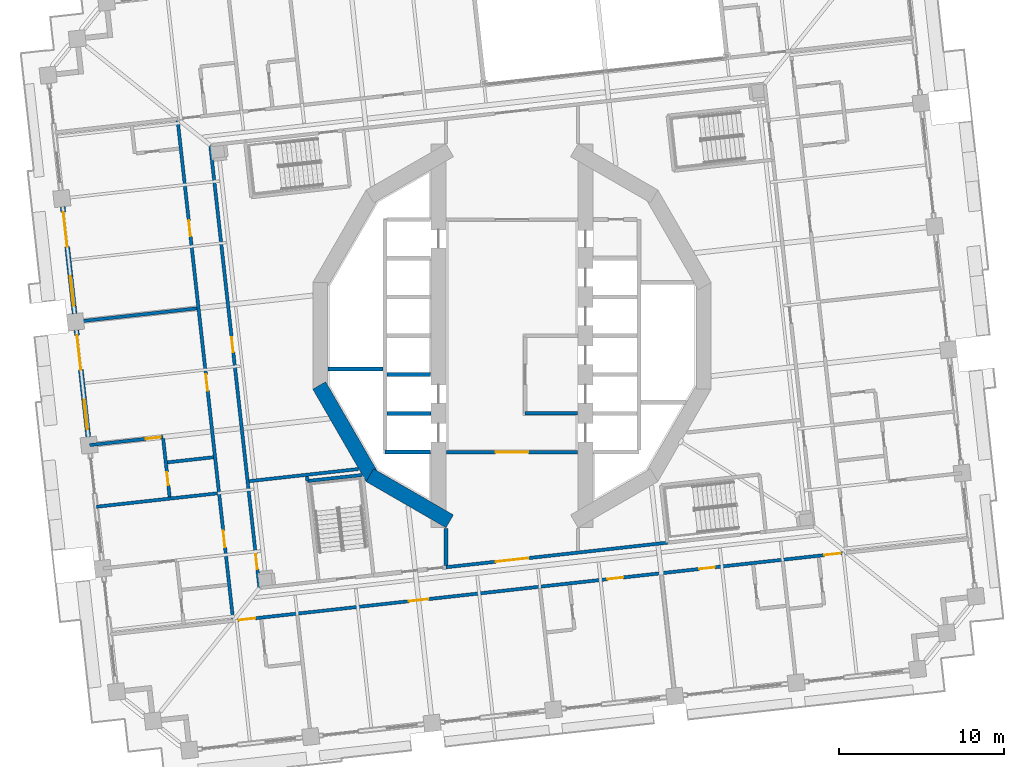
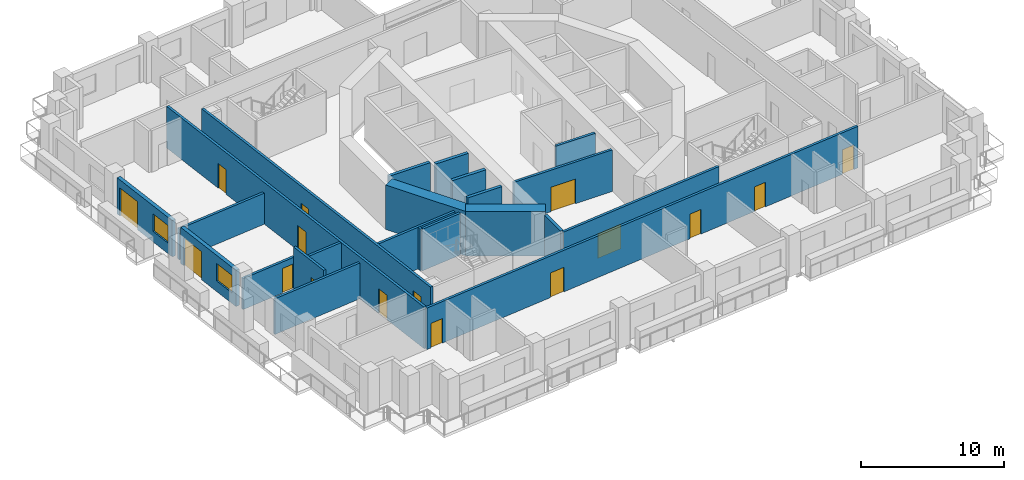
# One storey, part 8 of 20: 23 walls, 16 doors, 2 windows, 18 openings.
"""IFC4 building model written with IfcOpenShell, lengths in metres."""

from ifc_helpers import new_model, si_unit, direction, frame, frame_2d, origin, place, context, subcontext, project, spatial, rectangle, extrude, material, layer, layer_set, type_object, element, fill, save


model = new_model("IFC4")

# Units and contexts
model_context = context("Model", 3, precision=1e-05, world=origin(), true_north=direction((0.0, 1.0)))
body_context = subcontext(model_context, "Body", "Model", "MODEL_VIEW")
ifc_project = project(units=[si_unit("LENGTHUNIT", "METRE"), si_unit("AREAUNIT", "SQUARE_METRE"), si_unit("VOLUMEUNIT", "CUBIC_METRE"), si_unit("PLANEANGLEUNIT", "RADIAN"), si_unit("MASSUNIT", "GRAM", prefix="KILO")], contexts=[model_context])

# Site, building, storey
site_placement = place(None, origin())
site = spatial("IfcSite", under=ifc_project, at=site_placement, CompositionType="ELEMENT")
building_placement = place(site_placement, origin())
building = spatial("IfcBuilding", under=site, at=building_placement, Name="Cantera Rosa Tower", CompositionType="ELEMENT")
storey_placement = place(building_placement, frame((0.0, 0.0, 46.300048828125)))
storey = spatial("IfcBuildingStorey", under=building, at=storey_placement, Name="L08", CompositionType="ELEMENT", Elevation=46.300048828125)

# Wall, openings, doors
ifc_material_1 = material(Name="Gypsum board partition")
ifc_layer_1 = layer(ifc_material_1, 0.199951171875)
ifc_layer_set_1 = layer_set([ifc_layer_1], Name="CORRIDOR WALL 200 H3550")
wall_type_1 = type_object("IfcWallType", Name="CORRIDOR WALL 200 H3550", PredefinedType="PARTITIONING", material=ifc_layer_set_1)
wall_1_placement = place(storey_placement, frame((-20.2626953125, 13.04443359375, 0.0), z_axis=(0.0, 0.0, 1.0), x_axis=(0.110312530755, -0.993896949164, 0.0)))
wall_1 = element("IfcWall", 1, at=wall_1_placement, inside=storey, type_object=wall_type_1, Name="CORRIDOR WALL L08-009", PredefinedType="PARTITIONING", context=body_context, shape_type="SweptSolid", body=[
    extrude(rectangle(XDim=30.400146484375, YDim=0.199951171875, at=frame_2d((15.2001953125, 0.0))), origin(), (0.0, 0.0, 1.0), 3.550048828125),
])
opening_1_placement = place(wall_1_placement, frame((25.010009765625, 0.0, 0.0)))
opening_1 = element("IfcOpeningElement", 2, at=opening_1_placement, cuts=wall_1, Name="Opening L08-032", PredefinedType="OPENING", context=body_context, shape_type="SweptSolid", body=[
    extrude(rectangle(XDim=1.0, YDim=2.10009765625, at=frame_2d((0.5, 1.050048828125))), frame((0.0, 0.10986328125, 0.0), z_axis=(0.0, -1.0, 0.0), x_axis=(1.0, 0.0, 0.0)), (0.0, 0.0, 1.0), 0.219970703125),
])
opening_2_placement = place(wall_1_placement, frame((6.094970703125, 0.0, 0.0)))
opening_2 = element("IfcOpeningElement", 3, at=opening_2_placement, cuts=wall_1, Name="Opening L08-035", PredefinedType="OPENING", context=body_context, shape_type="SweptSolid", body=[
    extrude(rectangle(XDim=0.949951171875, YDim=2.10009765625, at=frame_2d((0.47509765625, 1.050048828125))), frame((0.0, 0.10986328125, 0.0), z_axis=(0.0, -1.0, 0.0), x_axis=(1.0, 0.0, 0.0)), (0.0, 0.0, 1.0), 0.219970703125),
])
opening_3_placement = place(wall_1_placement, frame((15.47998046875, 0.0, 0.0)))
opening_3 = element("IfcOpeningElement", 4, at=opening_3_placement, cuts=wall_1, Name="Opening L08-037", PredefinedType="OPENING", context=body_context, shape_type="SweptSolid", body=[
    extrude(rectangle(XDim=1.0, YDim=2.10009765625, at=frame_2d((0.5, 1.050048828125))), frame((0.0, 0.10986328125, 0.0), z_axis=(0.0, -1.0, 0.0), x_axis=(1.0, 0.0, 0.0)), (0.0, 0.0, 1.0), 0.219970703125),
])
ifc_material_2 = material(Name="Timber door leaf", Category="wood")
door_type_1 = type_object("IfcDoorType", Name="ENTRANCE DOOR 1000x2100", OperationType="NOTDEFINED", PredefinedType="DOOR", material=ifc_material_2)
door_1_placement = place(opening_1_placement, origin())
door_1 = element("IfcDoor", 5, at=door_1_placement, inside=storey, type_object=door_type_1, Name="DOOR L08-032", OperationType="NOTDEFINED", OverallHeight=2.10009765625, OverallWidth=1.0, PredefinedType="DOOR", context=body_context, shape_type="SweptSolid", body=[
    extrude(rectangle(XDim=1.0, YDim=2.10009765625, at=frame_2d((0.5, 1.050048828125))), frame((0.0, 0.02490234375, 0.0), z_axis=(0.0, -1.0, 0.0), x_axis=(1.0, 0.0, 0.0)), (0.0, 0.0, 1.0), 0.050048828125),
])
fill(opening_1, door_1)
door_2_placement = place(opening_3_placement, origin())
door_2 = element("IfcDoor", 6, at=door_2_placement, inside=storey, type_object=door_type_1, Name="DOOR L08-037", OperationType="NOTDEFINED", OverallHeight=2.10009765625, OverallWidth=1.0, PredefinedType="DOOR", context=body_context, shape_type="SweptSolid", body=[
    extrude(rectangle(XDim=1.0, YDim=2.10009765625, at=frame_2d((0.5, 1.050048828125))), frame((0.0, 0.02490234375, 0.0), z_axis=(0.0, -1.0, 0.0), x_axis=(1.0, 0.0, 0.0)), (0.0, 0.0, 1.0), 0.050048828125),
])
fill(opening_3, door_2)
ifc_material_3 = material(Name="Timber door leaf", Category="wood")
door_type_2 = type_object("IfcDoorType", Name="ROOM DOOR 950x2100", OperationType="NOTDEFINED", PredefinedType="DOOR", material=ifc_material_3)
door_3_placement = place(opening_2_placement, origin())
door_3 = element("IfcDoor", 7, at=door_3_placement, inside=storey, type_object=door_type_2, Name="DOOR L08-035", OperationType="NOTDEFINED", OverallHeight=2.10009765625, OverallWidth=0.949951171875, PredefinedType="DOOR", context=body_context, shape_type="SweptSolid", body=[
    extrude(rectangle(XDim=0.949951171875, YDim=2.10009765625, at=frame_2d((0.47509765625, 1.050048828125))), frame((0.0, 0.02490234375, 0.0), z_axis=(0.0, -1.0, 0.0), x_axis=(1.0, 0.0, 0.0)), (0.0, 0.0, 1.0), 0.050048828125),
])
fill(opening_2, door_3)

wall_2_placement = place(storey_placement, frame((-18.2861328125, 11.55322265625, 0.0), z_axis=(0.0, 0.0, 1.0), x_axis=(0.110315409641, -0.993896629633, 0.0)))
wall_2 = element("IfcWall", 8, at=wall_2_placement, inside=storey, type_object=wall_type_1, Name="CORRIDOR WALL L08-015", PredefinedType="PARTITIONING", context=body_context, shape_type="SweptSolid", body=[
    extrude(rectangle(XDim=27.0, YDim=0.199951171875, at=frame_2d((13.5, 0.0))), origin(), (0.0, 0.0, 1.0), 3.550048828125),
])
opening_4_placement = place(wall_2_placement, frame((11.719970703125, 0.0, 0.0)))
opening_4 = element("IfcOpeningElement", 9, at=opening_4_placement, cuts=wall_2, Name="Opening L08-006", PredefinedType="OPENING", context=body_context, shape_type="SweptSolid", body=[
    extrude(rectangle(XDim=0.89990234375, YDim=2.10009765625, at=frame_2d((0.449951171875, 1.050048828125))), frame((0.0, 0.10986328125, 0.0), z_axis=(0.0, -1.0, 0.0), x_axis=(1.0, 0.0, 0.0)), (0.0, 0.0, 1.0), 0.219970703125),
])
opening_5_placement = place(wall_2_placement, frame((24.949951171875, 0.0, 0.0)))
opening_5 = element("IfcOpeningElement", 10, at=opening_5_placement, cuts=wall_2, Name="Opening L08-007", PredefinedType="OPENING", context=body_context, shape_type="SweptSolid", body=[
    extrude(rectangle(XDim=0.89990234375, YDim=2.10009765625, at=frame_2d((0.449951171875, 1.050048828125))), frame((0.0, 0.10986328125, 0.0), z_axis=(0.0, -1.0, 0.0), x_axis=(1.0, 0.0, 0.0)), (0.0, 0.0, 1.0), 0.219970703125),
])
ifc_material_4 = material(Name="Timber door leaf", Category="wood")
door_type_3 = type_object("IfcDoorType", Name="SERVICE DOOR 900x2100", OperationType="NOTDEFINED", PredefinedType="DOOR", material=ifc_material_4)
door_4_placement = place(opening_4_placement, origin())
door_4 = element("IfcDoor", 11, at=door_4_placement, inside=storey, type_object=door_type_3, Name="DOOR L08-006", OperationType="NOTDEFINED", OverallHeight=2.10009765625, OverallWidth=0.89990234375, PredefinedType="DOOR", context=body_context, shape_type="SweptSolid", body=[
    extrude(rectangle(XDim=0.89990234375, YDim=2.10009765625, at=frame_2d((0.449951171875, 1.050048828125))), frame((0.0, 0.02490234375, 0.0), z_axis=(0.0, -1.0, 0.0), x_axis=(1.0, 0.0, 0.0)), (0.0, 0.0, 1.0), 0.050048828125),
])
fill(opening_4, door_4)
door_5_placement = place(opening_5_placement, origin())
door_5 = element("IfcDoor", 12, at=door_5_placement, inside=storey, type_object=door_type_3, Name="DOOR L08-007", OperationType="NOTDEFINED", OverallHeight=2.10009765625, OverallWidth=0.89990234375, PredefinedType="DOOR", context=body_context, shape_type="SweptSolid", body=[
    extrude(rectangle(XDim=0.89990234375, YDim=2.10009765625, at=frame_2d((0.449951171875, 1.050048828125))), frame((0.0, 0.02490234375, 0.0), z_axis=(0.0, -1.0, 0.0), x_axis=(1.0, 0.0, 0.0)), (0.0, 0.0, 1.0), 0.050048828125),
])
fill(opening_5, door_5)

wall_3_placement = place(storey_placement, frame((-16.898193359375, -17.26953125, 0.0), z_axis=(0.0, 0.0, 1.0), x_axis=(0.993896862852, 0.11031330841, 0.0)))
wall_3 = element("IfcWall", 13, at=wall_3_placement, inside=storey, type_object=wall_type_1, Name="CORRIDOR WALL L08-019", PredefinedType="PARTITIONING", context=body_context, shape_type="SweptSolid", body=[
    extrude(rectangle(XDim=37.400146484375, YDim=0.199951171875, at=frame_2d((18.7001953125, 0.0))), origin(), (0.0, 0.0, 1.0), 3.550048828125),
])
opening_6_placement = place(wall_3_placement, frame((10.699951171875, 0.0, 0.0)))
opening_6 = element("IfcOpeningElement", 14, at=opening_6_placement, cuts=wall_3, Name="Opening L08-040", PredefinedType="OPENING", context=body_context, shape_type="SweptSolid", body=[
    extrude(rectangle(XDim=1.199951171875, YDim=2.10009765625, at=frame_2d((0.60009765625, 1.050048828125))), frame((0.0, 0.10986328125, 0.0), z_axis=(0.0, -1.0, 0.0), x_axis=(1.0, 0.0, 0.0)), (0.0, 0.0, 1.0), 0.219970703125),
])
opening_7_placement = place(wall_3_placement, frame((28.425048828125, 0.0, 0.0)))
opening_7 = element("IfcOpeningElement", 15, at=opening_7_placement, cuts=wall_3, Name="Opening L08-041", PredefinedType="OPENING", context=body_context, shape_type="SweptSolid", body=[
    extrude(rectangle(XDim=0.949951171875, YDim=2.10009765625, at=frame_2d((0.47509765625, 1.050048828125))), frame((0.0, 0.10986328125, 0.0), z_axis=(0.0, -1.0, 0.0), x_axis=(1.0, 0.0, 0.0)), (0.0, 0.0, 1.0), 0.219970703125),
])
opening_8_placement = place(wall_3_placement, frame((22.824951171875, 0.0, 0.0)))
opening_8 = element("IfcOpeningElement", 16, at=opening_8_placement, cuts=wall_3, Name="Opening L08-043", PredefinedType="OPENING", context=body_context, shape_type="SweptSolid", body=[
    extrude(rectangle(XDim=0.949951171875, YDim=2.10009765625, at=frame_2d((0.47509765625, 1.050048828125))), frame((0.0, 0.10986328125, 0.0), z_axis=(0.0, -1.0, 0.0), x_axis=(1.0, 0.0, 0.0)), (0.0, 0.0, 1.0), 0.219970703125),
])
opening_9_placement = place(wall_3_placement, frame((0.35009765625, 0.0, 0.0)))
opening_9 = element("IfcOpeningElement", 17, at=opening_9_placement, cuts=wall_3, Name="Opening L08-045", PredefinedType="OPENING", context=body_context, shape_type="SweptSolid", body=[
    extrude(rectangle(XDim=1.0, YDim=2.10009765625, at=frame_2d((0.5, 1.050048828125))), frame((0.0, 0.10986328125, 0.0), z_axis=(0.0, -1.0, 0.0), x_axis=(1.0, 0.0, 0.0)), (0.0, 0.0, 1.0), 0.219970703125),
])
opening_10_placement = place(wall_3_placement, frame((36.050048828125, 0.0, 0.0)))
opening_10 = element("IfcOpeningElement", 18, at=opening_10_placement, cuts=wall_3, Name="Opening L08-047", PredefinedType="OPENING", context=body_context, shape_type="SweptSolid", body=[
    extrude(rectangle(XDim=1.0, YDim=2.10009765625, at=frame_2d((0.5, 1.050048828125))), frame((0.0, 0.10986328125, 0.0), z_axis=(0.0, -1.0, 0.0), x_axis=(1.0, 0.0, 0.0)), (0.0, 0.0, 1.0), 0.219970703125),
])
door_6_placement = place(opening_9_placement, origin())
door_6 = element("IfcDoor", 19, at=door_6_placement, inside=storey, type_object=door_type_1, Name="DOOR L08-045", OperationType="NOTDEFINED", OverallHeight=2.10009765625, OverallWidth=1.0, PredefinedType="DOOR", context=body_context, shape_type="SweptSolid", body=[
    extrude(rectangle(XDim=1.0, YDim=2.10009765625, at=frame_2d((0.5, 1.050048828125))), frame((0.0, 0.02490234375, 0.0), z_axis=(0.0, -1.0, 0.0), x_axis=(1.0, 0.0, 0.0)), (0.0, 0.0, 1.0), 0.050048828125),
])
fill(opening_9, door_6)
door_7_placement = place(opening_10_placement, origin())
door_7 = element("IfcDoor", 20, at=door_7_placement, inside=storey, type_object=door_type_1, Name="DOOR L08-047", OperationType="NOTDEFINED", OverallHeight=2.10009765625, OverallWidth=1.0, PredefinedType="DOOR", context=body_context, shape_type="SweptSolid", body=[
    extrude(rectangle(XDim=1.0, YDim=2.10009765625, at=frame_2d((0.5, 1.050048828125))), frame((0.0, 0.02490234375, 0.0), z_axis=(0.0, -1.0, 0.0), x_axis=(1.0, 0.0, 0.0)), (0.0, 0.0, 1.0), 0.050048828125),
])
fill(opening_10, door_7)
ifc_material_5 = material(Name="Timber door leaf", Category="wood")
door_type_4 = type_object("IfcDoorType", Name="ROOM DOOR 1200x2100", OperationType="NOTDEFINED", PredefinedType="DOOR", material=ifc_material_5)
door_8_placement = place(opening_6_placement, origin())
door_8 = element("IfcDoor", 21, at=door_8_placement, inside=storey, type_object=door_type_4, Name="DOOR L08-040", OperationType="NOTDEFINED", OverallHeight=2.10009765625, OverallWidth=1.199951171875, PredefinedType="DOOR", context=body_context, shape_type="SweptSolid", body=[
    extrude(rectangle(XDim=1.199951171875, YDim=2.10009765625, at=frame_2d((0.60009765625, 1.050048828125))), frame((0.0, 0.02490234375, 0.0), z_axis=(0.0, -1.0, 0.0), x_axis=(1.0, 0.0, 0.0)), (0.0, 0.0, 1.0), 0.050048828125),
])
fill(opening_6, door_8)
door_9_placement = place(opening_7_placement, origin())
door_9 = element("IfcDoor", 22, at=door_9_placement, inside=storey, type_object=door_type_2, Name="DOOR L08-041", OperationType="NOTDEFINED", OverallHeight=2.10009765625, OverallWidth=0.949951171875, PredefinedType="DOOR", context=body_context, shape_type="SweptSolid", body=[
    extrude(rectangle(XDim=0.949951171875, YDim=2.10009765625, at=frame_2d((0.47509765625, 1.050048828125))), frame((0.0, 0.02490234375, 0.0), z_axis=(0.0, -1.0, 0.0), x_axis=(1.0, 0.0, 0.0)), (0.0, 0.0, 1.0), 0.050048828125),
])
fill(opening_7, door_9)
door_10_placement = place(opening_8_placement, origin())
door_10 = element("IfcDoor", 23, at=door_10_placement, inside=storey, type_object=door_type_2, Name="DOOR L08-043", OperationType="NOTDEFINED", OverallHeight=2.10009765625, OverallWidth=0.949951171875, PredefinedType="DOOR", context=body_context, shape_type="SweptSolid", body=[
    extrude(rectangle(XDim=0.949951171875, YDim=2.10009765625, at=frame_2d((0.47509765625, 1.050048828125))), frame((0.0, 0.02490234375, 0.0), z_axis=(0.0, -1.0, 0.0), x_axis=(1.0, 0.0, 0.0)), (0.0, 0.0, 1.0), 0.050048828125),
])
fill(opening_8, door_10)

# Wall, opening, door
wall_4_placement = place(storey_placement, frame((-4.0, -14.02685546875, 0.0), z_axis=(0.0, 0.0, 1.0), x_axis=(0.993897619869, 0.110306487659, 0.0)))
wall_4 = element("IfcWall", 24, at=wall_4_placement, inside=storey, type_object=wall_type_1, Name="CORRIDOR WALL L08-051", PredefinedType="PARTITIONING", context=body_context, shape_type="SweptSolid", body=[
    extrude(rectangle(XDim=13.5009765625, YDim=0.199951171875, at=frame_2d((6.75048828125, 0.0))), origin(), (0.0, 0.0, 1.0), 3.550048828125),
])
opening_11_placement = place(wall_4_placement, frame((3.024658203125, 0.0, 0.0)))
opening_11 = element("IfcOpeningElement", 25, at=opening_11_placement, cuts=wall_4, Name="Opening L08-012", PredefinedType="OPENING", context=body_context, shape_type="SweptSolid", body=[
    extrude(rectangle(XDim=2.0, YDim=2.10009765625, at=frame_2d((1.0, 1.050048828125))), frame((0.0, 0.10986328125, 0.0), z_axis=(0.0, -1.0, 0.0), x_axis=(1.0, 0.0, 0.0)), (0.0, 0.0, 1.0), 0.219970703125),
])
ifc_material_6 = material(Name="Steel S355J2 (EN 10025-2)", Category="steel")
door_type_5 = type_object("IfcDoorType", Name="LOBBY SCREEN DOOR 2000x2100", OperationType="NOTDEFINED", PredefinedType="DOOR", material=ifc_material_6)
door_11_placement = place(opening_11_placement, origin())
door_11 = element("IfcDoor", 26, at=door_11_placement, inside=storey, type_object=door_type_5, Name="DOOR L08-012", OperationType="NOTDEFINED", OverallHeight=2.10009765625, OverallWidth=2.0, PredefinedType="DOOR", context=body_context, shape_type="SweptSolid", body=[
    extrude(rectangle(XDim=2.0, YDim=2.10009765625, at=frame_2d((1.0, 1.050048828125))), frame((0.0, 0.02490234375, 0.0), z_axis=(0.0, -1.0, 0.0), x_axis=(1.0, 0.0, 0.0)), (0.0, 0.0, 1.0), 0.050048828125),
])
fill(opening_11, door_11)

wall_5_placement = place(storey_placement, frame((3.969970703125, -7.050048828125, 0.0), z_axis=(0.0, 0.0, 1.0), x_axis=(-1.0, 0.0, 0.0)))
wall_5 = element("IfcWall", 27, at=wall_5_placement, inside=storey, type_object=wall_type_1, Name="CORRIDOR WALL L08-061", PredefinedType="PARTITIONING", context=body_context, shape_type="SweptSolid", body=[
    extrude(rectangle(XDim=7.93994140625, YDim=0.199951171875, at=frame_2d((3.969970703125, 0.0))), origin(), (0.0, 0.0, 1.0), 3.550048828125),
])
opening_12_placement = place(wall_5_placement, frame((2.969970703125, 0.0, 0.0)))
opening_12 = element("IfcOpeningElement", 28, at=opening_12_placement, cuts=wall_5, Name="Opening L08-013", PredefinedType="OPENING", context=body_context, shape_type="SweptSolid", body=[
    extrude(rectangle(XDim=2.0, YDim=2.10009765625, at=frame_2d((1.0, 1.050048828125))), frame((0.0, 0.10986328125, 0.0), z_axis=(0.0, -1.0, 0.0), x_axis=(1.0, 0.0, 0.0)), (0.0, 0.0, 1.0), 0.219970703125),
])
door_12_placement = place(opening_12_placement, origin())
door_12 = element("IfcDoor", 29, at=door_12_placement, inside=storey, type_object=door_type_5, Name="DOOR L08-013", OperationType="NOTDEFINED", OverallHeight=2.10009765625, OverallWidth=2.0, PredefinedType="DOOR", context=body_context, shape_type="SweptSolid", body=[
    extrude(rectangle(XDim=2.0, YDim=2.10009765625, at=frame_2d((1.0, 1.050048828125))), frame((0.0, 0.02490234375, 0.0), z_axis=(0.0, -1.0, 0.0), x_axis=(1.0, 0.0, 0.0)), (0.0, 0.0, 1.0), 0.050048828125),
])
fill(opening_12, door_12)

# Wall, openings, window, door
ifc_material_7 = material(Name="Hollow clay masonry with cantera stone cladding", Category="masonry")
ifc_layer_2 = layer(ifc_material_7, 0.300048828125)
ifc_layer_set_2 = layer_set([ifc_layer_2], Name="EW-LOGGIA 300 H3090")
wall_type_2 = type_object("IfcWallType", Name="EW-LOGGIA 300 H3090", PredefinedType="SOLIDWALL", material=ifc_layer_set_2)
wall_6_placement = place(storey_placement, frame((-27.229248046875, 7.823974609375, 0.0), z_axis=(0.0, 0.0, 1.0), x_axis=(0.110312341265, -0.993896970196, 0.0)))
wall_6 = element("IfcWall", 30, at=wall_6_placement, inside=storey, type_object=wall_type_2, Name="EN-L08-W17", PredefinedType="SOLIDWALL", context=body_context, shape_type="SweptSolid", body=[
    extrude(rectangle(XDim=6.52001953125, YDim=0.300048828125, at=frame_2d((3.260009765625, 0.0))), origin(), (0.0, 0.0, 1.0), 3.08984375),
])
opening_13_placement = place(wall_6_placement, frame((0.330078125, 0.0, 0.0)))
opening_13 = element("IfcOpeningElement", 31, at=opening_13_placement, cuts=wall_6, Name="Opening L08-TD21", PredefinedType="OPENING", context=body_context, shape_type="SweptSolid", body=[
    extrude(rectangle(XDim=2.10009765625, YDim=2.39990234375, at=frame_2d((1.050048828125, 1.199951171875))), frame((0.0, 0.159912109375, 0.0), z_axis=(0.0, -1.0, 0.0), x_axis=(1.0, 0.0, 0.0)), (0.0, 0.0, 1.0), 0.320068359375),
])
opening_14_placement = place(wall_6_placement, frame((4.239990234375, 0.0, 0.89990234375)))
opening_14 = element("IfcOpeningElement", 32, at=opening_14_placement, cuts=wall_6, Name="Opening L08-W22", PredefinedType="OPENING", context=body_context, shape_type="SweptSolid", body=[
    extrude(rectangle(XDim=1.800048828125, YDim=1.5, at=frame_2d((0.89990234375, 0.75))), frame((0.0, 0.159912109375, 0.0), z_axis=(0.0, -1.0, 0.0), x_axis=(1.0, 0.0, 0.0)), (0.0, 0.0, 1.0), 0.320068359375),
])
ifc_material_8 = material(Name="Aluminium frame with clear glass", Category="aluminium")
window_type = type_object("IfcWindowType", Name="Hotel room window 1800x1500", PartitioningType="DOUBLE_PANEL_VERTICAL", PredefinedType="WINDOW", material=ifc_material_8)
window_1_placement = place(opening_14_placement, origin())
window_1 = element("IfcWindow", 33, at=window_1_placement, inside=storey, type_object=window_type, Name="WINDOW L08-W22", OverallHeight=1.5, OverallWidth=1.800048828125, PartitioningType="SINGLE_PANEL", PredefinedType="WINDOW", context=body_context, shape_type="SweptSolid", body=[
    extrude(rectangle(XDim=1.800048828125, YDim=1.5, at=frame_2d((0.89990234375, 0.75))), frame((0.0, 0.030029296875, 0.0), z_axis=(0.0, -1.0, 0.0), x_axis=(1.0, 0.0, 0.0)), (0.0, 0.0, 1.0), 0.06005859375),
])
fill(opening_14, window_1)
ifc_material_9 = material(Name="Aluminium frame with clear glass", Category="aluminium")
door_type_6 = type_object("IfcDoorType", Name="TD-H 2100x2400", OperationType="NOTDEFINED", PredefinedType="DOOR", material=ifc_material_9)
door_13_placement = place(opening_13_placement, origin())
door_13 = element("IfcDoor", 34, at=door_13_placement, inside=storey, type_object=door_type_6, Name="LOGGIA DOOR L08-TD21", OperationType="SLIDING_TO_LEFT", OverallHeight=2.39990234375, OverallWidth=2.10009765625, PredefinedType="DOOR", context=body_context, shape_type="SweptSolid", body=[
    extrude(rectangle(XDim=2.10009765625, YDim=2.39990234375, at=frame_2d((1.050048828125, 1.199951171875))), frame((0.0, 0.02490234375, 0.0), z_axis=(0.0, -1.0, 0.0), x_axis=(1.0, 0.0, 0.0)), (0.0, 0.0, 1.0), 0.050048828125),
])
fill(opening_13, door_13)

wall_7_placement = place(storey_placement, frame((-26.399658203125, 0.349853515625, 0.0), z_axis=(0.0, 0.0, 1.0), x_axis=(0.110312341265, -0.993896970196, 0.0)))
wall_7 = element("IfcWall", 35, at=wall_7_placement, inside=storey, type_object=wall_type_2, Name="EN-L08-W18", PredefinedType="SOLIDWALL", context=body_context, shape_type="SweptSolid", body=[
    extrude(rectangle(XDim=6.52001953125, YDim=0.300048828125, at=frame_2d((3.260009765625, 0.0))), origin(), (0.0, 0.0, 1.0), 3.08984375),
])
opening_15_placement = place(wall_7_placement, frame((0.330078125, 0.0, 0.0)))
opening_15 = element("IfcOpeningElement", 36, at=opening_15_placement, cuts=wall_7, Name="Opening L08-TD23", PredefinedType="OPENING", context=body_context, shape_type="SweptSolid", body=[
    extrude(rectangle(XDim=2.10009765625, YDim=2.39990234375, at=frame_2d((1.050048828125, 1.199951171875))), frame((0.0, 0.159912109375, 0.0), z_axis=(0.0, -1.0, 0.0), x_axis=(1.0, 0.0, 0.0)), (0.0, 0.0, 1.0), 0.320068359375),
])
opening_16_placement = place(wall_7_placement, frame((4.239990234375, 0.0, 0.89990234375)))
opening_16 = element("IfcOpeningElement", 37, at=opening_16_placement, cuts=wall_7, Name="Opening L08-W24", PredefinedType="OPENING", context=body_context, shape_type="SweptSolid", body=[
    extrude(rectangle(XDim=1.800048828125, YDim=1.5, at=frame_2d((0.89990234375, 0.75))), frame((0.0, 0.159912109375, 0.0), z_axis=(0.0, -1.0, 0.0), x_axis=(1.0, 0.0, 0.0)), (0.0, 0.0, 1.0), 0.320068359375),
])
window_2_placement = place(opening_16_placement, origin())
window_2 = element("IfcWindow", 38, at=window_2_placement, inside=storey, type_object=window_type, Name="WINDOW L08-W24", OverallHeight=1.5, OverallWidth=1.800048828125, PartitioningType="SINGLE_PANEL", PredefinedType="WINDOW", context=body_context, shape_type="SweptSolid", body=[
    extrude(rectangle(XDim=1.800048828125, YDim=1.5, at=frame_2d((0.89990234375, 0.75))), frame((0.0, 0.030029296875, 0.0), z_axis=(0.0, -1.0, 0.0), x_axis=(1.0, 0.0, 0.0)), (0.0, 0.0, 1.0), 0.06005859375),
])
fill(opening_16, window_2)
door_14_placement = place(opening_15_placement, origin())
door_14 = element("IfcDoor", 39, at=door_14_placement, inside=storey, type_object=door_type_6, Name="LOGGIA DOOR L08-TD23", OperationType="SLIDING_TO_LEFT", OverallHeight=2.39990234375, OverallWidth=2.10009765625, PredefinedType="DOOR", context=body_context, shape_type="SweptSolid", body=[
    extrude(rectangle(XDim=2.10009765625, YDim=2.39990234375, at=frame_2d((1.050048828125, 1.199951171875))), frame((0.0, 0.02490234375, 0.0), z_axis=(0.0, -1.0, 0.0), x_axis=(1.0, 0.0, 0.0)), (0.0, 0.0, 1.0), 0.050048828125),
])
fill(opening_15, door_14)

# Wall, opening, door
ifc_material_10 = material(Name="Gypsum board partition")
ifc_layer_3 = layer(ifc_material_10, 0.199951171875)
ifc_layer_set_3 = layer_set([ifc_layer_3], Name="PARTITION 200 H2650")
wall_type_3 = type_object("IfcWallType", Name="PARTITION 200 H2650", PredefinedType="PARTITIONING", material=ifc_layer_set_3)
wall_8_placement = place(storey_placement, frame((-25.595458984375, -6.623779296875, 0.0), z_axis=(0.0, 0.0, 1.0), x_axis=(0.993901040656, 0.110275660883, 0.0)))
wall_8 = element("IfcWall", 40, at=wall_8_placement, inside=storey, type_object=wall_type_3, Name="PARTITION L08-001", PredefinedType="PARTITIONING", context=body_context, shape_type="SweptSolid", body=[
    extrude(rectangle(XDim=4.469970703125, YDim=0.199951171875, at=frame_2d((2.23486328125, 0.0))), origin(), (0.0, 0.0, 1.0), 2.64990234375),
])
opening_17_placement = place(wall_8_placement, frame((3.419921875, 0.0, 0.0)))
opening_17 = element("IfcOpeningElement", 41, at=opening_17_placement, cuts=wall_8, Name="Opening L08-038", PredefinedType="OPENING", context=body_context, shape_type="SweptSolid", body=[
    extrude(rectangle(XDim=0.89990234375, YDim=2.10009765625, at=frame_2d((0.449951171875, 1.050048828125))), frame((0.0, 0.10986328125, 0.0), z_axis=(0.0, -1.0, 0.0), x_axis=(1.0, 0.0, 0.0)), (0.0, 0.0, 1.0), 0.219970703125),
])
ifc_material_11 = material(Name="Timber door leaf", Category="wood")
door_type_7 = type_object("IfcDoorType", Name="ROOM DOOR 900x2100", OperationType="NOTDEFINED", PredefinedType="DOOR", material=ifc_material_11)
door_15_placement = place(opening_17_placement, origin())
door_15 = element("IfcDoor", 42, at=door_15_placement, inside=storey, type_object=door_type_7, Name="DOOR L08-038", OperationType="NOTDEFINED", OverallHeight=2.10009765625, OverallWidth=0.89990234375, PredefinedType="DOOR", context=body_context, shape_type="SweptSolid", body=[
    extrude(rectangle(XDim=0.89990234375, YDim=2.10009765625, at=frame_2d((0.449951171875, 1.050048828125))), frame((0.0, 0.02490234375, 0.0), z_axis=(0.0, -1.0, 0.0), x_axis=(1.0, 0.0, 0.0)), (0.0, 0.0, 1.0), 0.050048828125),
])
fill(opening_17, door_15)

ifc_material_12 = material(Name="Gypsum board partition")
ifc_layer_4 = layer(ifc_material_12, 0.199951171875)
ifc_layer_set_4 = layer_set([ifc_layer_4], Name="PARTITION 200 H3550")
wall_type_4 = type_object("IfcWallType", Name="PARTITION 200 H3550", PredefinedType="PARTITIONING", material=ifc_layer_set_4)
wall_9_placement = place(storey_placement, frame((-21.141845703125, -6.230224609375, 0.0), z_axis=(0.0, 0.0, 1.0), x_axis=(0.110341204028, -0.993893766302, 0.0)))
wall_9 = element("IfcWall", 43, at=wall_9_placement, inside=storey, type_object=wall_type_4, Name="PARTITION L08-005", PredefinedType="PARTITIONING", context=body_context, shape_type="SweptSolid", body=[
    extrude(rectangle(XDim=3.56005859375, YDim=0.199951171875, at=frame_2d((1.780029296875, 0.0))), origin(), (0.0, 0.0, 1.0), 3.550048828125),
])
opening_18_placement = place(wall_9_placement, frame((2.050048828125, 0.0, 0.0)))
opening_18 = element("IfcOpeningElement", 44, at=opening_18_placement, cuts=wall_9, Name="Opening L08-039", PredefinedType="OPENING", context=body_context, shape_type="SweptSolid", body=[
    extrude(rectangle(XDim=0.800048828125, YDim=2.10009765625, at=frame_2d((0.39990234375, 1.050048828125))), frame((0.0, 0.10986328125, 0.0), z_axis=(0.0, -1.0, 0.0), x_axis=(1.0, 0.0, 0.0)), (0.0, 0.0, 1.0), 0.219970703125),
])
ifc_material_13 = material(Name="Timber door leaf", Category="wood")
door_type_8 = type_object("IfcDoorType", Name="BATHROOM DOOR 800x2100", OperationType="NOTDEFINED", PredefinedType="DOOR", material=ifc_material_13)
door_16_placement = place(opening_18_placement, origin())
door_16 = element("IfcDoor", 45, at=door_16_placement, inside=storey, type_object=door_type_8, Name="DOOR L08-039", OperationType="NOTDEFINED", OverallHeight=2.10009765625, OverallWidth=0.800048828125, PredefinedType="DOOR", context=body_context, shape_type="SweptSolid", body=[
    extrude(rectangle(XDim=0.800048828125, YDim=2.10009765625, at=frame_2d((0.39990234375, 1.050048828125))), frame((0.0, 0.02490234375, 0.0), z_axis=(0.0, -1.0, 0.0), x_axis=(1.0, 0.0, 0.0)), (0.0, 0.0, 1.0), 0.050048828125),
])
fill(opening_18, door_16)

# Walls
wall_10_placement = place(storey_placement, frame((-20.88134765625, -7.67041015625, 0.0), z_axis=(0.0, 0.0, 1.0), x_axis=(0.99388905004, 0.110383677283, 0.0)))
element("IfcWall", 46, at=wall_10_placement, inside=storey, type_object=wall_type_4, Name="PARTITION L08-006", PredefinedType="PARTITIONING", context=body_context, shape_type="SweptSolid", body=[
    extrude(rectangle(XDim=2.800048828125, YDim=0.199951171875, at=frame_2d((1.39990234375, 0.0))), origin(), (0.0, 0.0, 1.0), 3.550048828125),
])
wall_11_placement = place(storey_placement, frame((-12.4267578125, -8.522705078125, 0.0), z_axis=(0.0, 0.0, 1.0), x_axis=(0.109956380259, -0.993936413681, 0.0)))
element("IfcWall", 47, at=wall_11_placement, inside=storey, type_object=wall_type_4, Name="PARTITION L08-032", PredefinedType="PARTITIONING", context=body_context, shape_type="SweptSolid", body=[
    extrude(rectangle(XDim=0.281982421875, YDim=0.199951171875, at=frame_2d((0.14111328125, 0.0))), origin(), (0.0, 0.0, 1.0), 3.550048828125),
])
wall_12_placement = place(storey_placement, frame((-9.3134765625, -8.07666015625, 0.0), z_axis=(0.0, 0.0, 1.0), x_axis=(-0.993896259816, -0.110318741489, 0.0)))
element("IfcWall", 48, at=wall_12_placement, inside=storey, type_object=wall_type_4, Name="PARTITION L08-040", PredefinedType="PARTITIONING", context=body_context, shape_type="SweptSolid", body=[
    extrude(rectangle(XDim=6.65234375, YDim=0.199951171875, at=frame_2d((3.326171875, 0.0))), origin(), (0.0, 0.0, 1.0), 3.550048828125),
])
ifc_material_14 = material(Name="Gypsum board partition")
ifc_layer_5 = layer(ifc_material_14, 0.199951171875)
ifc_layer_set_5 = layer_set([ifc_layer_5], Name="PARTY WALL 200 H2650")
wall_type_5 = type_object("IfcWallType", Name="PARTY WALL 200 H2650", PredefinedType="PARTITIONING", material=ifc_layer_set_5)
wall_13_placement = place(storey_placement, frame((-19.10009765625, 1.6630859375, 0.0), z_axis=(0.0, 0.0, 1.0), x_axis=(-0.993897058864, -0.11031154238, 0.0)))
element("IfcWall", 49, at=wall_13_placement, inside=storey, type_object=wall_type_5, Name="PARTY WALL L08-012", PredefinedType="PARTITIONING", context=body_context, shape_type="SweptSolid", body=[
    extrude(rectangle(XDim=7.369873046875, YDim=0.199951171875, at=frame_2d((3.68505859375, 0.0))), origin(), (0.0, 0.0, 1.0), 2.64990234375),
])
ifc_material_15 = material(Name="Gypsum board partition")
ifc_layer_6 = layer(ifc_material_15, 0.199951171875)
ifc_layer_set_6 = layer_set([ifc_layer_6], Name="PARTY WALL 200 H3050")
wall_type_6 = type_object("IfcWallType", Name="PARTY WALL 200 H3050", PredefinedType="PARTITIONING", material=ifc_layer_set_6)
wall_14_placement = place(storey_placement, frame((-17.855712890625, -9.548095703125, 0.0), z_axis=(0.0, 0.0, 1.0), x_axis=(-0.993897058864, -0.11031154238, 0.0)))
element("IfcWall", 50, at=wall_14_placement, inside=storey, type_object=wall_type_6, Name="PARTY WALL L08-017", PredefinedType="PARTITIONING", context=body_context, shape_type="SweptSolid", body=[
    extrude(rectangle(XDim=7.369873046875, YDim=0.199951171875, at=frame_2d((3.68505859375, 0.0))), origin(), (0.0, 0.0, 1.0), 3.050048828125),
])
ifc_material_16 = material(Name="Concrete C70/85", Category="concrete")
ifc_layer_7 = layer(ifc_material_16, 0.89990234375)
ifc_layer_set_7 = layer_set([ifc_layer_7], Name="RC CORE WALL 900 C70/85")
wall_type_7 = type_object("IfcWallType", Name="RC CORE WALL 900 C70/85", PredefinedType="SHEAR", material=ifc_layer_set_7)
wall_15_placement = place(storey_placement, frame((-3.77490234375, -11.242919921875, 0.0), z_axis=(0.0, 0.0, 1.0), x_axis=(-0.866026961591, 0.49999730179, 0.0)))
element("IfcWall", 51, at=wall_15_placement, inside=storey, type_object=wall_type_7, Name="CW-W1 L08", PredefinedType="SHEAR", context=body_context, shape_type="SweptSolid", body=[
    extrude(rectangle(XDim=5.58740234375, YDim=0.89990234375, at=frame_2d((2.793701171875, 0.0))), origin(), (0.0, 0.0, 1.0), 3.800048828125),
])
wall_16_placement = place(storey_placement, frame((-8.44921875, -8.61376953125, 0.0), z_axis=(0.0, 0.0, 1.0), x_axis=(-0.499990282633, 0.866031014036, 0.0)))
element("IfcWall", 52, at=wall_16_placement, inside=storey, type_object=wall_type_7, Name="CW-W2 L08", PredefinedType="SHEAR", context=body_context, shape_type="SweptSolid", body=[
    extrude(rectangle(XDim=6.470458984375, YDim=0.89990234375, at=frame_2d((3.2353515625, 0.0))), origin(), (0.0, 0.0, 1.0), 3.800048828125),
])
ifc_material_17 = material(Name="Masonry blockwork", Category="masonry")
ifc_layer_8 = layer(ifc_material_17, 0.25)
ifc_layer_set_8 = layer_set([ifc_layer_8], Name="SHAFT WALL 250 H3550")
wall_type_8 = type_object("IfcWallType", Name="SHAFT WALL 250 H3550", PredefinedType="SOLIDWALL", material=ifc_layer_set_8)
wall_17_placement = place(storey_placement, frame((-11.14404296875, -2.0146484375, 0.0), z_axis=(0.0, 0.0, 1.0), x_axis=(1.0, 0.0, 0.0)))
element("IfcWall", 53, at=wall_17_placement, inside=storey, type_object=wall_type_8, Name="SHAFT WALL L08-037", PredefinedType="SOLIDWALL", context=body_context, shape_type="SweptSolid", body=[
    extrude(rectangle(XDim=3.319091796875, YDim=0.25, at=frame_2d((1.65966796875, 0.0))), origin(), (0.0, 0.0, 1.0), 3.550048828125),
])
wall_18_placement = place(storey_placement, frame((-7.699951171875, -7.050048828125, 0.0), z_axis=(0.0, 0.0, 1.0), x_axis=(1.0, 0.0, 0.0)))
element("IfcWall", 54, at=wall_18_placement, inside=storey, type_object=wall_type_8, Name="SHAFT WALL L08-043", PredefinedType="SOLIDWALL", context=body_context, shape_type="SweptSolid", body=[
    extrude(rectangle(XDim=2.77001953125, YDim=0.25, at=frame_2d((1.385009765625, 0.0))), origin(), (0.0, 0.0, 1.0), 3.550048828125),
])
wall_19_placement = place(storey_placement, frame((-7.574951171875, -4.699951171875, 0.0), z_axis=(0.0, 0.0, 1.0), x_axis=(1.0, 0.0, 0.0)))
element("IfcWall", 55, at=wall_19_placement, inside=storey, type_object=wall_type_8, Name="SHAFT WALL L08-044", PredefinedType="SOLIDWALL", context=body_context, shape_type="SweptSolid", body=[
    extrude(rectangle(XDim=2.675048828125, YDim=0.25, at=frame_2d((1.33740234375, 0.0))), origin(), (0.0, 0.0, 1.0), 3.550048828125),
])
wall_20_placement = place(storey_placement, frame((-7.574951171875, -2.35009765625, 0.0), z_axis=(0.0, 0.0, 1.0), x_axis=(1.0, 0.0, 0.0)))
element("IfcWall", 56, at=wall_20_placement, inside=storey, type_object=wall_type_8, Name="SHAFT WALL L08-045", PredefinedType="SOLIDWALL", context=body_context, shape_type="SweptSolid", body=[
    extrude(rectangle(XDim=2.64501953125, YDim=0.25, at=frame_2d((1.322509765625, 0.0))), origin(), (0.0, 0.0, 1.0), 3.550048828125),
])
wall_21_placement = place(storey_placement, frame((-4.0, -11.667236328125, 0.0), z_axis=(0.0, 0.0, 1.0), x_axis=(0.0, -1.0, 0.0)))
element("IfcWall", 57, at=wall_21_placement, inside=storey, type_object=wall_type_8, Name="SHAFT WALL L08-052", PredefinedType="SOLIDWALL", context=body_context, shape_type="SweptSolid", body=[
    extrude(rectangle(XDim=2.23974609375, YDim=0.25, at=frame_2d((1.119873046875, 0.0))), origin(), (0.0, 0.0, 1.0), 3.550048828125),
])
ifc_material_18 = material(Name="Concrete C50/60", Category="concrete")
ifc_layer_9 = layer(ifc_material_18, 0.199951171875)
ifc_layer_set_9 = layer_set([ifc_layer_9], Name="STAIR WALL 200 H3550")
wall_type_9 = type_object("IfcWallType", Name="STAIR WALL 200 H3550", PredefinedType="SOLIDWALL", material=ifc_layer_set_9)
wall_22_placement = place(storey_placement, frame((-12.395751953125, -8.802978515625, 0.0), z_axis=(0.0, 0.0, 1.0), x_axis=(0.993897215684, 0.110310129436, 0.0)))
element("IfcWall", 58, at=wall_22_placement, inside=storey, type_object=wall_type_9, Name="STAIR WALL L08-034", PredefinedType="SOLIDWALL", context=body_context, shape_type="SweptSolid", body=[
    extrude(rectangle(XDim=3.31103515625, YDim=0.199951171875, at=frame_2d((1.655517578125, 0.0))), origin(), (0.0, 0.0, 1.0), 3.550048828125),
])
wall_23_placement = place(storey_placement, frame((3.969970703125, -4.699951171875, 0.0), z_axis=(0.0, 0.0, 1.0), x_axis=(-1.0, 0.0, 0.0)))
element("IfcWall", 59, at=wall_23_placement, inside=storey, type_object=wall_type_9, Name="STAIR WALL L08-062", PredefinedType="SOLIDWALL", context=body_context, shape_type="SweptSolid", body=[
    extrude(rectangle(XDim=3.169921875, YDim=0.199951171875, at=frame_2d((1.5849609375, 0.0))), origin(), (0.0, 0.0, 1.0), 3.550048828125),
])

save(model, "model.ifc")
